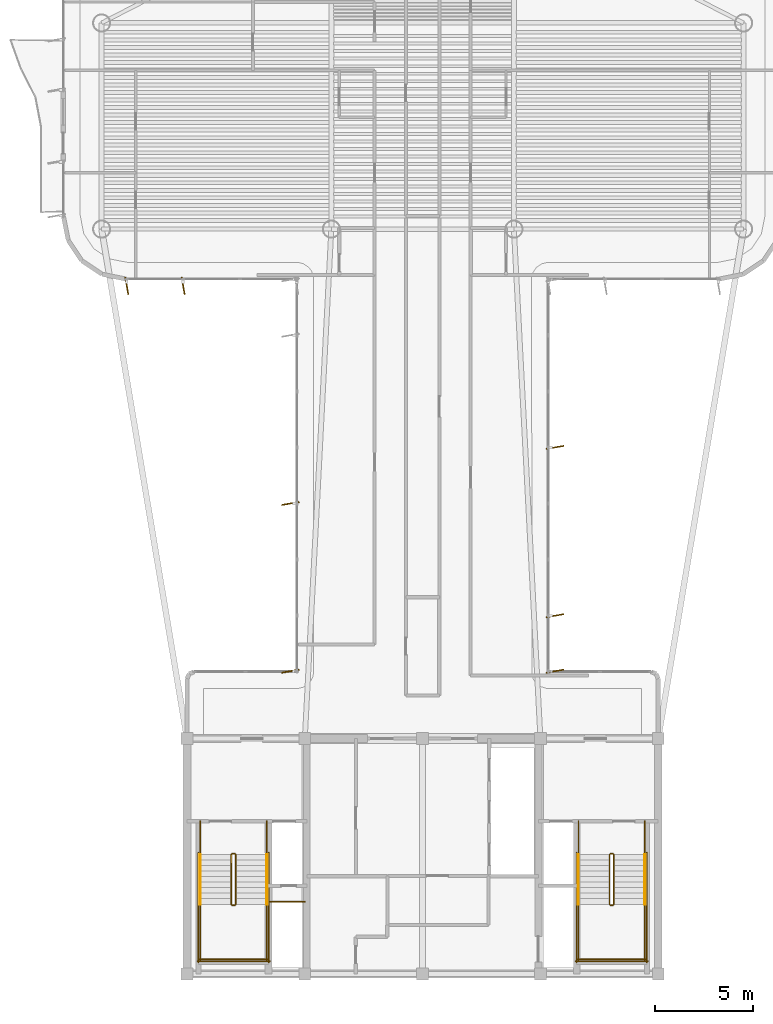
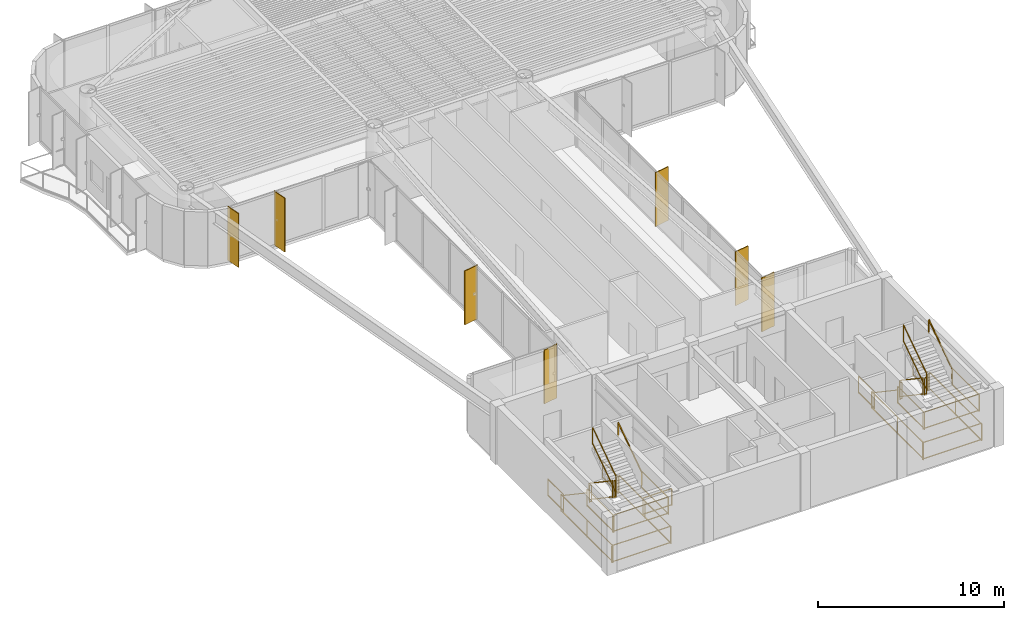
# One storey, part 14 of 15: 29 railings, 7 shading devices.
"""IFC4 building model written with IfcOpenShell, lengths in metres."""

from ifc_helpers import new_model, si_unit, direction, frame, origin, origin_2d, place, context, subcontext, project, spatial, rectangle, extrude, source, transform, mapped, material, layer, layer_set, material_profile, profile_set, type_object, element, save


model = new_model("IFC4")

# Units and contexts
model_context = context("Model", 3, precision=1e-05, world=origin(), true_north=direction((0.0, 1.0)))
body_context = subcontext(model_context, "Body", "Model", "MODEL_VIEW")
ifc_project = project(units=[si_unit("LENGTHUNIT", "METRE"), si_unit("AREAUNIT", "SQUARE_METRE"), si_unit("VOLUMEUNIT", "CUBIC_METRE"), si_unit("PLANEANGLEUNIT", "RADIAN"), si_unit("MASSUNIT", "GRAM", prefix="KILO")], contexts=[model_context])

# Site, building, storey
site_placement = place(None, origin())
site = spatial("IfcSite", under=ifc_project, at=site_placement, CompositionType="ELEMENT")
building_placement = place(site_placement, origin())
building = spatial("IfcBuilding", under=site, at=building_placement, Name="Brelvock Crest Care Tower", CompositionType="ELEMENT")
storey_placement = place(building_placement, frame((0.0, 0.0, 272.159912109375)))
storey = spatial("IfcBuildingStorey", under=building, at=storey_placement, Name="L69", CompositionType="ELEMENT", Elevation=272.159912109375)

# Railings
ifc_material_1 = material(Name="Steel Grade 350", Category="steel")
ifc_layer_1 = layer(ifc_material_1, 0.050048828125, Name="RL-STG1")
ifc_layer_set_1 = layer_set([ifc_layer_1], Name="Steel Grade 350")
railing_type_1 = type_object("IfcRailingType", Name="RL-STG1", PredefinedType="GUARDRAIL", material=ifc_layer_set_1)
railing_1_placement = place(storey_placement, frame((26.260009765625, 12.080078125, 0.189208984375)))
element("IfcRailing", 1, at=railing_1_placement, inside=storey, type_object=railing_type_1, Name="L69 ST-1 stair guard 1", PredefinedType="GUARDRAIL", context=body_context, shape_type="SweptSolid", body=[
    extrude(rectangle(XDim=0.048095703125, YDim=0.048095703125, at=origin_2d()), frame((0.0, -0.001708984375, 1.116943359375), z_axis=(0.0, -0.828861706735, 0.559453546873), x_axis=(1.0, 0.0, 0.0)), (0.0, 0.0, 1.0), 3.036376953125),
    extrude(rectangle(XDim=0.048095703125, YDim=0.048095703125, at=origin_2d()), frame((0.0, -0.001708984375, 0.05615234375), z_axis=(0.0, -0.828861706735, 0.559453546873), x_axis=(1.0, 0.0, 0.0)), (0.0, 0.0, 1.0), 3.036376953125),
    extrude(rectangle(XDim=0.0419921875, YDim=0.0419921875, at=origin_2d()), origin(), (0.0, 0.0, 1.0), 1.08984375),
    extrude(rectangle(XDim=0.0419921875, YDim=0.0419921875, at=origin_2d()), frame((0.0, -2.52001953125, 1.700927734375)), (0.0, 0.0, 1.0), 1.08984375),
])
railing_2_placement = place(storey_placement, frame((26.31005859375, 9.510009765625, 1.89013671875)))
element("IfcRailing", 2, at=railing_2_placement, inside=storey, type_object=railing_type_1, Name="L69 ST-1 stair guard 2", PredefinedType="GUARDRAIL", context=body_context, shape_type="SweptSolid", body=[
    extrude(rectangle(XDim=0.048095703125, YDim=0.048095703125, at=origin_2d()), frame((0.001953125, 0.0, 1.11572265625), z_axis=(1.0, 0.0, 0.0), x_axis=(0.0, 1.0, 0.0)), (0.0, 0.0, 1.0), 0.115966796875),
    extrude(rectangle(XDim=0.048095703125, YDim=0.048095703125, at=origin_2d()), frame((0.001953125, 0.0, 0.054931640625), z_axis=(1.0, 0.0, 0.0), x_axis=(0.0, 1.0, 0.0)), (0.0, 0.0, 1.0), 0.115966796875),
    extrude(rectangle(XDim=0.0419921875, YDim=0.0419921875, at=origin_2d()), origin(), (0.0, 0.0, 1.0), 1.08984375),
    extrude(rectangle(XDim=0.0419921875, YDim=0.0419921875, at=origin_2d()), frame((0.119873046875, 0.0, 0.0)), (0.0, 0.0, 1.0), 1.08984375),
])
for number, where, name in (
    (3, (24.679931640625, 9.56005859375, 1.89013671875), "L69 ST-1 stair guard 3"),
    (4, (28.06005859375, 9.56005859375, 1.89013671875), "L69 ST-1 stair guard 4"),
):
    element("IfcRailing", number, at=place(storey_placement, frame(where)), inside=storey, type_object=railing_type_1, Name=name, PredefinedType="GUARDRAIL", context=body_context, shape_type="SweptSolid", body=[
        extrude(rectangle(XDim=0.048095703125, YDim=0.048095703125, at=origin_2d()), frame((0.0, -0.001953125, 1.11572265625), z_axis=(0.0, -1.0, 0.0), x_axis=(1.0, 0.0, 0.0)), (0.0, 0.0, 1.0), 2.856201171875),
        extrude(rectangle(XDim=0.048095703125, YDim=0.048095703125, at=origin_2d()), frame((0.0, -0.001953125, 0.054931640625), z_axis=(0.0, -1.0, 0.0), x_axis=(1.0, 0.0, 0.0)), (0.0, 0.0, 1.0), 2.856201171875),
        extrude(rectangle(XDim=0.0419921875, YDim=0.0419921875, at=origin_2d()), origin(), (0.0, 0.0, 1.0), 1.08984375),
        extrude(rectangle(XDim=0.0419921875, YDim=0.0419921875, at=origin_2d()), frame((0.0, -2.860107421875, 0.0)), (0.0, 0.0, 1.0), 1.08984375),
    ])
railing_3_placement = place(storey_placement, frame((24.6298828125, 6.75, 1.89013671875)))
element("IfcRailing", 5, at=railing_3_placement, inside=storey, type_object=railing_type_1, Name="L69 ST-1 stair guard 5", PredefinedType="GUARDRAIL", context=body_context, shape_type="SweptSolid", body=[
    extrude(rectangle(XDim=0.048095703125, YDim=0.048095703125, at=origin_2d()), frame((0.001953125, 0.0, 1.11572265625), z_axis=(1.0, 0.0, 0.0), x_axis=(0.0, 1.0, 0.0)), (0.0, 0.0, 1.0), 3.476318359375),
    extrude(rectangle(XDim=0.048095703125, YDim=0.048095703125, at=origin_2d()), frame((0.001953125, 0.0, 0.054931640625), z_axis=(1.0, 0.0, 0.0), x_axis=(0.0, 1.0, 0.0)), (0.0, 0.0, 1.0), 3.476318359375),
    extrude(rectangle(XDim=0.0419921875, YDim=0.0419921875, at=origin_2d()), origin(), (0.0, 0.0, 1.0), 1.08984375),
    extrude(rectangle(XDim=0.0419921875, YDim=0.0419921875, at=origin_2d()), frame((3.480224609375, 0.0, 0.0)), (0.0, 0.0, 1.0), 1.08984375),
])
railing_4_placement = place(storey_placement, frame((26.47998046875, 9.56005859375, 2.0791015625)))
element("IfcRailing", 6, at=railing_4_placement, inside=storey, type_object=railing_type_1, Name="L69 ST-1 stair guard 6", PredefinedType="GUARDRAIL", context=body_context, shape_type="SweptSolid", body=[
    extrude(rectangle(XDim=0.048095703125, YDim=0.048095703125, at=origin_2d()), frame((0.0, 0.001708984375, 1.116943359375), z_axis=(0.0, 0.828861706735, 0.559453546873), x_axis=(-1.0, 0.0, 0.0)), (0.0, 0.0, 1.0), 3.036376953125),
    extrude(rectangle(XDim=0.048095703125, YDim=0.048095703125, at=origin_2d()), frame((0.0, 0.001708984375, 0.05615234375), z_axis=(0.0, 0.828861706735, 0.559453546873), x_axis=(-1.0, 0.0, 0.0)), (0.0, 0.0, 1.0), 3.036376953125),
    extrude(rectangle(XDim=0.0419921875, YDim=0.0419921875, at=origin_2d()), origin(), (0.0, 0.0, 1.0), 1.08984375),
    extrude(rectangle(XDim=0.0419921875, YDim=0.0419921875, at=origin_2d()), frame((0.0, 2.52001953125, 1.700927734375)), (0.0, 0.0, 1.0), 1.08984375),
])
railing_5_placement = place(storey_placement, frame((26.31005859375, 12.1298828125, 0.0)))
element("IfcRailing", 7, at=railing_5_placement, inside=storey, type_object=railing_type_1, Name="L69 ST-1 stair guard 7", PredefinedType="GUARDRAIL", context=body_context, shape_type="SweptSolid", body=[
    extrude(rectangle(XDim=0.048095703125, YDim=0.048095703125, at=origin_2d()), frame((0.001953125, 0.0, 1.11572265625), z_axis=(1.0, 0.0, 0.0), x_axis=(0.0, 1.0, 0.0)), (0.0, 0.0, 1.0), 0.115966796875),
    extrude(rectangle(XDim=0.048095703125, YDim=0.048095703125, at=origin_2d()), frame((0.001953125, 0.0, 0.054931640625), z_axis=(1.0, 0.0, 0.0), x_axis=(0.0, 1.0, 0.0)), (0.0, 0.0, 1.0), 0.115966796875),
    extrude(rectangle(XDim=0.0419921875, YDim=0.0419921875, at=origin_2d()), origin(), (0.0, 0.0, 1.0), 1.08984375),
    extrude(rectangle(XDim=0.0419921875, YDim=0.0419921875, at=origin_2d()), frame((0.119873046875, 0.0, 0.0)), (0.0, 0.0, 1.0), 1.08984375),
])
for number, where, name in (
    (8, (24.679931640625, 13.780029296875, 0.0), "L69 ST-1 stair guard 8"),
    (9, (28.06005859375, 13.780029296875, 0.0), "L69 ST-1 stair guard 9"),
):
    element("IfcRailing", number, at=place(storey_placement, frame(where)), inside=storey, type_object=railing_type_1, Name=name, PredefinedType="GUARDRAIL", context=body_context, shape_type="SweptSolid", body=[
        extrude(rectangle(XDim=0.048095703125, YDim=0.048095703125, at=origin_2d()), frame((0.0, -0.001953125, 1.11572265625), z_axis=(0.0, -1.0, 0.0), x_axis=(1.0, 0.0, 0.0)), (0.0, 0.0, 1.0), 1.696044921875),
        extrude(rectangle(XDim=0.048095703125, YDim=0.048095703125, at=origin_2d()), frame((0.0, -0.001953125, 0.054931640625), z_axis=(0.0, -1.0, 0.0), x_axis=(1.0, 0.0, 0.0)), (0.0, 0.0, 1.0), 1.696044921875),
        extrude(rectangle(XDim=0.0419921875, YDim=0.0419921875, at=origin_2d()), origin(), (0.0, 0.0, 1.0), 1.08984375),
        extrude(rectangle(XDim=0.0419921875, YDim=0.0419921875, at=origin_2d()), frame((0.0, -1.699951171875, 0.0)), (0.0, 0.0, 1.0), 1.08984375),
    ])
for number, where, name in (
    (10, (24.580078125, 12.179931640625, 0.0), "L69 ST-1 stair guard 10"),
    (11, (28.159912109375, 12.179931640625, 0.0), "L69 ST-1 stair guard 11"),
):
    element("IfcRailing", number, at=place(storey_placement, frame(where)), inside=storey, type_object=railing_type_1, Name=name, PredefinedType="GUARDRAIL", context=body_context, shape_type="SweptSolid", body=[
        extrude(rectangle(XDim=0.048095703125, YDim=0.048095703125, at=origin_2d()), frame((0.0, -0.001953125, 1.11572265625), z_axis=(0.0, -1.0, 0.0), x_axis=(1.0, 0.0, 0.0)), (0.0, 0.0, 1.0), 5.575927734375),
        extrude(rectangle(XDim=0.048095703125, YDim=0.048095703125, at=origin_2d()), frame((0.0, -0.001953125, 0.054931640625), z_axis=(0.0, -1.0, 0.0), x_axis=(1.0, 0.0, 0.0)), (0.0, 0.0, 1.0), 5.575927734375),
        extrude(rectangle(XDim=0.0419921875, YDim=0.0419921875, at=origin_2d()), origin(), (0.0, 0.0, 1.0), 1.08984375),
        extrude(rectangle(XDim=0.0419921875, YDim=0.0419921875, at=origin_2d()), frame((0.0, -2.7900390625, 0.0)), (0.0, 0.0, 1.0), 1.08984375),
        extrude(rectangle(XDim=0.0419921875, YDim=0.0419921875, at=origin_2d()), frame((0.0, -5.579833984375, 0.0)), (0.0, 0.0, 1.0), 1.08984375),
    ])
railing_6_placement = place(storey_placement, frame((24.530029296875, 6.64990234375, 0.0)))
element("IfcRailing", 12, at=railing_6_placement, inside=storey, type_object=railing_type_1, Name="L69 ST-1 stair guard 12", PredefinedType="GUARDRAIL", context=body_context, shape_type="SweptSolid", body=[
    extrude(rectangle(XDim=0.048095703125, YDim=0.048095703125, at=origin_2d()), frame((0.001953125, 0.0, 1.11572265625), z_axis=(1.0, 0.0, 0.0), x_axis=(0.0, 1.0, 0.0)), (0.0, 0.0, 1.0), 3.676025390625),
    extrude(rectangle(XDim=0.048095703125, YDim=0.048095703125, at=origin_2d()), frame((0.001953125, 0.0, 0.054931640625), z_axis=(1.0, 0.0, 0.0), x_axis=(0.0, 1.0, 0.0)), (0.0, 0.0, 1.0), 3.676025390625),
    extrude(rectangle(XDim=0.0419921875, YDim=0.0419921875, at=origin_2d()), origin(), (0.0, 0.0, 1.0), 1.08984375),
    extrude(rectangle(XDim=0.0419921875, YDim=0.0419921875, at=origin_2d()), frame((3.679931640625, 0.0, 0.0)), (0.0, 0.0, 1.0), 1.08984375),
])
railing_7_placement = place(storey_placement, frame((45.52001953125, 12.080078125, 0.189208984375)))
element("IfcRailing", 13, at=railing_7_placement, inside=storey, type_object=railing_type_1, Name="L69 ST-2 stair guard 1", PredefinedType="GUARDRAIL", context=body_context, shape_type="SweptSolid", body=[
    extrude(rectangle(XDim=0.048095703125, YDim=0.048095703125, at=origin_2d()), frame((0.0, -0.001708984375, 1.116943359375), z_axis=(0.0, -0.828861706735, 0.559453546873), x_axis=(1.0, 0.0, 0.0)), (0.0, 0.0, 1.0), 3.036376953125),
    extrude(rectangle(XDim=0.048095703125, YDim=0.048095703125, at=origin_2d()), frame((0.0, -0.001708984375, 0.05615234375), z_axis=(0.0, -0.828861706735, 0.559453546873), x_axis=(1.0, 0.0, 0.0)), (0.0, 0.0, 1.0), 3.036376953125),
    extrude(rectangle(XDim=0.0419921875, YDim=0.0419921875, at=origin_2d()), origin(), (0.0, 0.0, 1.0), 1.08984375),
    extrude(rectangle(XDim=0.0419921875, YDim=0.0419921875, at=origin_2d()), frame((0.0, -2.52001953125, 1.700927734375)), (0.0, 0.0, 1.0), 1.08984375),
])
railing_8_placement = place(storey_placement, frame((45.570068359375, 9.510009765625, 1.89013671875)))
element("IfcRailing", 14, at=railing_8_placement, inside=storey, type_object=railing_type_1, Name="L69 ST-2 stair guard 2", PredefinedType="GUARDRAIL", context=body_context, shape_type="SweptSolid", body=[
    extrude(rectangle(XDim=0.048095703125, YDim=0.048095703125, at=origin_2d()), frame((0.001953125, 0.0, 1.11572265625), z_axis=(1.0, 0.0, 0.0), x_axis=(0.0, 1.0, 0.0)), (0.0, 0.0, 1.0), 0.115966796875),
    extrude(rectangle(XDim=0.048095703125, YDim=0.048095703125, at=origin_2d()), frame((0.001953125, 0.0, 0.054931640625), z_axis=(1.0, 0.0, 0.0), x_axis=(0.0, 1.0, 0.0)), (0.0, 0.0, 1.0), 0.115966796875),
    extrude(rectangle(XDim=0.0419921875, YDim=0.0419921875, at=origin_2d()), origin(), (0.0, 0.0, 1.0), 1.08984375),
    extrude(rectangle(XDim=0.0419921875, YDim=0.0419921875, at=origin_2d()), frame((0.119873046875, 0.0, 0.0)), (0.0, 0.0, 1.0), 1.08984375),
])
for number, where, name in (
    (15, (43.93994140625, 9.56005859375, 1.89013671875), "L69 ST-2 stair guard 3"),
    (16, (47.320068359375, 9.56005859375, 1.89013671875), "L69 ST-2 stair guard 4"),
):
    element("IfcRailing", number, at=place(storey_placement, frame(where)), inside=storey, type_object=railing_type_1, Name=name, PredefinedType="GUARDRAIL", context=body_context, shape_type="SweptSolid", body=[
        extrude(rectangle(XDim=0.048095703125, YDim=0.048095703125, at=origin_2d()), frame((0.0, -0.001953125, 1.11572265625), z_axis=(0.0, -1.0, 0.0), x_axis=(1.0, 0.0, 0.0)), (0.0, 0.0, 1.0), 2.856201171875),
        extrude(rectangle(XDim=0.048095703125, YDim=0.048095703125, at=origin_2d()), frame((0.0, -0.001953125, 0.054931640625), z_axis=(0.0, -1.0, 0.0), x_axis=(1.0, 0.0, 0.0)), (0.0, 0.0, 1.0), 2.856201171875),
        extrude(rectangle(XDim=0.0419921875, YDim=0.0419921875, at=origin_2d()), origin(), (0.0, 0.0, 1.0), 1.08984375),
        extrude(rectangle(XDim=0.0419921875, YDim=0.0419921875, at=origin_2d()), frame((0.0, -2.860107421875, 0.0)), (0.0, 0.0, 1.0), 1.08984375),
    ])
railing_9_placement = place(storey_placement, frame((43.889892578125, 6.75, 1.89013671875)))
element("IfcRailing", 17, at=railing_9_placement, inside=storey, type_object=railing_type_1, Name="L69 ST-2 stair guard 5", PredefinedType="GUARDRAIL", context=body_context, shape_type="SweptSolid", body=[
    extrude(rectangle(XDim=0.048095703125, YDim=0.048095703125, at=origin_2d()), frame((0.001953125, 0.0, 1.11572265625), z_axis=(1.0, 0.0, 0.0), x_axis=(0.0, 1.0, 0.0)), (0.0, 0.0, 1.0), 3.476318359375),
    extrude(rectangle(XDim=0.048095703125, YDim=0.048095703125, at=origin_2d()), frame((0.001953125, 0.0, 0.054931640625), z_axis=(1.0, 0.0, 0.0), x_axis=(0.0, 1.0, 0.0)), (0.0, 0.0, 1.0), 3.476318359375),
    extrude(rectangle(XDim=0.0419921875, YDim=0.0419921875, at=origin_2d()), origin(), (0.0, 0.0, 1.0), 1.08984375),
    extrude(rectangle(XDim=0.0419921875, YDim=0.0419921875, at=origin_2d()), frame((3.480224609375, 0.0, 0.0)), (0.0, 0.0, 1.0), 1.08984375),
])
railing_10_placement = place(storey_placement, frame((45.739990234375, 9.56005859375, 2.0791015625)))
element("IfcRailing", 18, at=railing_10_placement, inside=storey, type_object=railing_type_1, Name="L69 ST-2 stair guard 6", PredefinedType="GUARDRAIL", context=body_context, shape_type="SweptSolid", body=[
    extrude(rectangle(XDim=0.048095703125, YDim=0.048095703125, at=origin_2d()), frame((0.0, 0.001708984375, 1.116943359375), z_axis=(0.0, 0.828861706735, 0.559453546873), x_axis=(-1.0, 0.0, 0.0)), (0.0, 0.0, 1.0), 3.036376953125),
    extrude(rectangle(XDim=0.048095703125, YDim=0.048095703125, at=origin_2d()), frame((0.0, 0.001708984375, 0.05615234375), z_axis=(0.0, 0.828861706735, 0.559453546873), x_axis=(-1.0, 0.0, 0.0)), (0.0, 0.0, 1.0), 3.036376953125),
    extrude(rectangle(XDim=0.0419921875, YDim=0.0419921875, at=origin_2d()), origin(), (0.0, 0.0, 1.0), 1.08984375),
    extrude(rectangle(XDim=0.0419921875, YDim=0.0419921875, at=origin_2d()), frame((0.0, 2.52001953125, 1.700927734375)), (0.0, 0.0, 1.0), 1.08984375),
])
railing_11_placement = place(storey_placement, frame((45.570068359375, 12.1298828125, 0.0)))
element("IfcRailing", 19, at=railing_11_placement, inside=storey, type_object=railing_type_1, Name="L69 ST-2 stair guard 7", PredefinedType="GUARDRAIL", context=body_context, shape_type="SweptSolid", body=[
    extrude(rectangle(XDim=0.048095703125, YDim=0.048095703125, at=origin_2d()), frame((0.001953125, 0.0, 1.11572265625), z_axis=(1.0, 0.0, 0.0), x_axis=(0.0, 1.0, 0.0)), (0.0, 0.0, 1.0), 0.115966796875),
    extrude(rectangle(XDim=0.048095703125, YDim=0.048095703125, at=origin_2d()), frame((0.001953125, 0.0, 0.054931640625), z_axis=(1.0, 0.0, 0.0), x_axis=(0.0, 1.0, 0.0)), (0.0, 0.0, 1.0), 0.115966796875),
    extrude(rectangle(XDim=0.0419921875, YDim=0.0419921875, at=origin_2d()), origin(), (0.0, 0.0, 1.0), 1.08984375),
    extrude(rectangle(XDim=0.0419921875, YDim=0.0419921875, at=origin_2d()), frame((0.119873046875, 0.0, 0.0)), (0.0, 0.0, 1.0), 1.08984375),
])
for number, where, name in (
    (20, (43.93994140625, 13.780029296875, 0.0), "L69 ST-2 stair guard 8"),
    (21, (47.320068359375, 13.780029296875, 0.0), "L69 ST-2 stair guard 9"),
):
    element("IfcRailing", number, at=place(storey_placement, frame(where)), inside=storey, type_object=railing_type_1, Name=name, PredefinedType="GUARDRAIL", context=body_context, shape_type="SweptSolid", body=[
        extrude(rectangle(XDim=0.048095703125, YDim=0.048095703125, at=origin_2d()), frame((0.0, -0.001953125, 1.11572265625), z_axis=(0.0, -1.0, 0.0), x_axis=(1.0, 0.0, 0.0)), (0.0, 0.0, 1.0), 1.696044921875),
        extrude(rectangle(XDim=0.048095703125, YDim=0.048095703125, at=origin_2d()), frame((0.0, -0.001953125, 0.054931640625), z_axis=(0.0, -1.0, 0.0), x_axis=(1.0, 0.0, 0.0)), (0.0, 0.0, 1.0), 1.696044921875),
        extrude(rectangle(XDim=0.0419921875, YDim=0.0419921875, at=origin_2d()), origin(), (0.0, 0.0, 1.0), 1.08984375),
        extrude(rectangle(XDim=0.0419921875, YDim=0.0419921875, at=origin_2d()), frame((0.0, -1.699951171875, 0.0)), (0.0, 0.0, 1.0), 1.08984375),
    ])
for number, where, name in (
    (22, (43.840087890625, 12.179931640625, 0.0), "L69 ST-2 stair guard 10"),
    (23, (47.419921875, 12.179931640625, 0.0), "L69 ST-2 stair guard 11"),
):
    element("IfcRailing", number, at=place(storey_placement, frame(where)), inside=storey, type_object=railing_type_1, Name=name, PredefinedType="GUARDRAIL", context=body_context, shape_type="SweptSolid", body=[
        extrude(rectangle(XDim=0.048095703125, YDim=0.048095703125, at=origin_2d()), frame((0.0, -0.001953125, 1.11572265625), z_axis=(0.0, -1.0, 0.0), x_axis=(1.0, 0.0, 0.0)), (0.0, 0.0, 1.0), 5.575927734375),
        extrude(rectangle(XDim=0.048095703125, YDim=0.048095703125, at=origin_2d()), frame((0.0, -0.001953125, 0.054931640625), z_axis=(0.0, -1.0, 0.0), x_axis=(1.0, 0.0, 0.0)), (0.0, 0.0, 1.0), 5.575927734375),
        extrude(rectangle(XDim=0.0419921875, YDim=0.0419921875, at=origin_2d()), origin(), (0.0, 0.0, 1.0), 1.08984375),
        extrude(rectangle(XDim=0.0419921875, YDim=0.0419921875, at=origin_2d()), frame((0.0, -2.7900390625, 0.0)), (0.0, 0.0, 1.0), 1.08984375),
        extrude(rectangle(XDim=0.0419921875, YDim=0.0419921875, at=origin_2d()), frame((0.0, -5.579833984375, 0.0)), (0.0, 0.0, 1.0), 1.08984375),
    ])
railing_12_placement = place(storey_placement, frame((43.7900390625, 6.64990234375, 0.0)))
element("IfcRailing", 24, at=railing_12_placement, inside=storey, type_object=railing_type_1, Name="L69 ST-2 stair guard 12", PredefinedType="GUARDRAIL", context=body_context, shape_type="SweptSolid", body=[
    extrude(rectangle(XDim=0.048095703125, YDim=0.048095703125, at=origin_2d()), frame((0.001953125, 0.0, 1.11572265625), z_axis=(1.0, 0.0, 0.0), x_axis=(0.0, 1.0, 0.0)), (0.0, 0.0, 1.0), 3.676025390625),
    extrude(rectangle(XDim=0.048095703125, YDim=0.048095703125, at=origin_2d()), frame((0.001953125, 0.0, 0.054931640625), z_axis=(1.0, 0.0, 0.0), x_axis=(0.0, 1.0, 0.0)), (0.0, 0.0, 1.0), 3.676025390625),
    extrude(rectangle(XDim=0.0419921875, YDim=0.0419921875, at=origin_2d()), origin(), (0.0, 0.0, 1.0), 1.08984375),
    extrude(rectangle(XDim=0.0419921875, YDim=0.0419921875, at=origin_2d()), frame((3.679931640625, 0.0, 0.0)), (0.0, 0.0, 1.0), 1.08984375),
])
railing_13_placement = place(storey_placement, frame((28.219970703125, 9.679931640625, 0.0)))
element("IfcRailing", 25, at=railing_13_placement, inside=storey, type_object=railing_type_1, Name="L69 Fire Riser Threshold Guard", PredefinedType="GUARDRAIL", context=body_context, shape_type="SweptSolid", body=[
    extrude(rectangle(XDim=0.048095703125, YDim=0.048095703125, at=origin_2d()), frame((0.001953125, 0.0, 1.11572265625), z_axis=(1.0, 0.0, 0.0), x_axis=(0.0, 1.0, 0.0)), (0.0, 0.0, 1.0), 1.776123046875),
    extrude(rectangle(XDim=0.048095703125, YDim=0.048095703125, at=origin_2d()), frame((0.001953125, 0.0, 0.054931640625), z_axis=(1.0, 0.0, 0.0), x_axis=(0.0, 1.0, 0.0)), (0.0, 0.0, 1.0), 1.776123046875),
    extrude(rectangle(XDim=0.0419921875, YDim=0.0419921875, at=origin_2d()), origin(), (0.0, 0.0, 1.0), 1.08984375),
    extrude(rectangle(XDim=0.0419921875, YDim=0.0419921875, at=origin_2d()), frame((1.780029296875, 0.0, 0.0)), (0.0, 0.0, 1.0), 1.08984375),
])
ifc_layer_2 = layer(ifc_material_1, 0.048095703125, Name="RL-STH1")
ifc_layer_set_2 = layer_set([ifc_layer_2], Name="Steel Grade 350")
railing_type_2 = type_object("IfcRailingType", Name="RL-STH1", PredefinedType="HANDRAIL", material=ifc_layer_set_2)
railing_14_placement = place(storey_placement, frame((24.679931640625, 12.080078125, 0.189208984375)))
element("IfcRailing", 26, at=railing_14_placement, inside=storey, type_object=railing_type_2, Name="L69 ST-1 stair handrail 1", PredefinedType="HANDRAIL", context=body_context, shape_type="SweptSolid", body=[
    extrude(rectangle(XDim=0.048095703125, YDim=0.048095703125, at=origin_2d()), frame((0.0, -0.001708984375, 0.876953125), z_axis=(0.0, -0.828861706735, 0.559453546873), x_axis=(1.0, 0.0, 0.0)), (0.0, 0.0, 1.0), 3.036376953125),
    extrude(rectangle(XDim=0.0419921875, YDim=0.0419921875, at=origin_2d()), origin(), (0.0, 0.0, 1.0), 0.849853515625),
    extrude(rectangle(XDim=0.0419921875, YDim=0.0419921875, at=origin_2d()), frame((0.0, -2.52001953125, 1.700927734375)), (0.0, 0.0, 1.0), 0.849853515625),
])
railing_15_placement = place(storey_placement, frame((28.06005859375, 9.56005859375, 2.0791015625)))
element("IfcRailing", 27, at=railing_15_placement, inside=storey, type_object=railing_type_2, Name="L69 ST-1 stair handrail 2", PredefinedType="HANDRAIL", context=body_context, shape_type="SweptSolid", body=[
    extrude(rectangle(XDim=0.048095703125, YDim=0.048095703125, at=origin_2d()), frame((0.0, 0.001708984375, 0.876953125), z_axis=(0.0, 0.828861706735, 0.559453546873), x_axis=(-1.0, 0.0, 0.0)), (0.0, 0.0, 1.0), 3.036376953125),
    extrude(rectangle(XDim=0.0419921875, YDim=0.0419921875, at=origin_2d()), origin(), (0.0, 0.0, 1.0), 0.849853515625),
    extrude(rectangle(XDim=0.0419921875, YDim=0.0419921875, at=origin_2d()), frame((0.0, 2.52001953125, 1.700927734375)), (0.0, 0.0, 1.0), 0.849853515625),
])
railing_16_placement = place(storey_placement, frame((43.93994140625, 12.080078125, 0.189208984375)))
element("IfcRailing", 28, at=railing_16_placement, inside=storey, type_object=railing_type_2, Name="L69 ST-2 stair handrail 1", PredefinedType="HANDRAIL", context=body_context, shape_type="SweptSolid", body=[
    extrude(rectangle(XDim=0.048095703125, YDim=0.048095703125, at=origin_2d()), frame((0.0, -0.001708984375, 0.876953125), z_axis=(0.0, -0.828861706735, 0.559453546873), x_axis=(1.0, 0.0, 0.0)), (0.0, 0.0, 1.0), 3.036376953125),
    extrude(rectangle(XDim=0.0419921875, YDim=0.0419921875, at=origin_2d()), origin(), (0.0, 0.0, 1.0), 0.849853515625),
    extrude(rectangle(XDim=0.0419921875, YDim=0.0419921875, at=origin_2d()), frame((0.0, -2.52001953125, 1.700927734375)), (0.0, 0.0, 1.0), 0.849853515625),
])
railing_17_placement = place(storey_placement, frame((47.320068359375, 9.56005859375, 2.0791015625)))
element("IfcRailing", 29, at=railing_17_placement, inside=storey, type_object=railing_type_2, Name="L69 ST-2 stair handrail 2", PredefinedType="HANDRAIL", context=body_context, shape_type="SweptSolid", body=[
    extrude(rectangle(XDim=0.048095703125, YDim=0.048095703125, at=origin_2d()), frame((0.0, 0.001708984375, 0.876953125), z_axis=(0.0, 0.828861706735, 0.559453546873), x_axis=(-1.0, 0.0, 0.0)), (0.0, 0.0, 1.0), 3.036376953125),
    extrude(rectangle(XDim=0.0419921875, YDim=0.0419921875, at=origin_2d()), origin(), (0.0, 0.0, 1.0), 0.849853515625),
    extrude(rectangle(XDim=0.0419921875, YDim=0.0419921875, at=origin_2d()), frame((0.0, 2.52001953125, 1.700927734375)), (0.0, 0.0, 1.0), 0.849853515625),
])

# Shading devices
ifc_material_2 = material(Name="Aluminium 6063-T6", Category="aluminium")
ifc_material_profile = material_profile(ifc_material_2, rectangle(XDim=0.054931640625, YDim=0.89990234375, at=origin_2d()), Name="FIN55x900")
ifc_profile_set = profile_set([ifc_material_profile], Name="Aluminium 6063-T6")
shading_device_type = type_object("IfcShadingDeviceType", Name="SHD-FIN1", PredefinedType="USERDEFINED", material=ifc_profile_set)
shared_shape = source(origin(), body_context, "Body", "SweptSolid", [
    extrude(rectangle(XDim=0.054931640625, YDim=0.89990234375, at=origin_2d()), origin(), (0.0, 0.0, 1.0), 3.530029296875),
])
for number, where, z_axis, x_axis, name in (
    (30, (29.260009765625, 21.429931640625, 0.0), (0.0, 0.0, 1.0), (-0.173648177667, 0.984807753012, 0.0), "L69 Vertical Sunshade Fin E11-01"),
    (31, (29.260009765625, 29.971435546875, 0.0), (0.0, 0.0, 1.0), (-0.173648177667, 0.984807753012, 0.0), "L69 Vertical Sunshade Fin E11-04"),
    (32, (23.800048828125, 41.06005859375, 0.0), (0.0, 0.0, 1.0), (-0.984807753012, -0.173648177667, 0.0), "L69 Vertical Sunshade Fin E12-03"),
    (33, (20.929931640625, 41.06005859375, 0.0), (0.0, 0.0, 1.0), (-0.984807753012, -0.173648177667, 0.0), "L69 Vertical Sunshade Fin E12-04"),
    (34, (42.739990234375, 32.82861328125, 0.0), (0.0, 0.0, 1.0), (0.173648177667, -0.984807753012, 0.0), "L69 Vertical Sunshade Fin E45-04"),
    (35, (42.739990234375, 24.257080078125, 0.0), (0.0, 0.0, 1.0), (0.173648177667, -0.984807753012, 0.0), "L69 Vertical Sunshade Fin E45-07"),
    (36, (42.739990234375, 21.429931640625, 0.0), (0.0, 0.0, 1.0), (0.173648177667, -0.984807753012, 0.0), "L69 Vertical Sunshade Fin E45-08"),
):
    element("IfcShadingDevice", number, at=place(storey_placement, frame(where, z_axis=z_axis, x_axis=x_axis)), inside=storey, type_object=shading_device_type, Name=name, ObjectType="FIN", PredefinedType="USERDEFINED", context=body_context, shape_type="MappedRepresentation", body=[
        mapped(shared_shape, transform((0.0, 0.0, 0.0), x_axis=(1.0, 0.0, 0.0), y_axis=(0.0, 1.0, 0.0), z_axis=(0.0, 0.0, 1.0), scale=1.0)),
    ])

save(model, "model.ifc")
